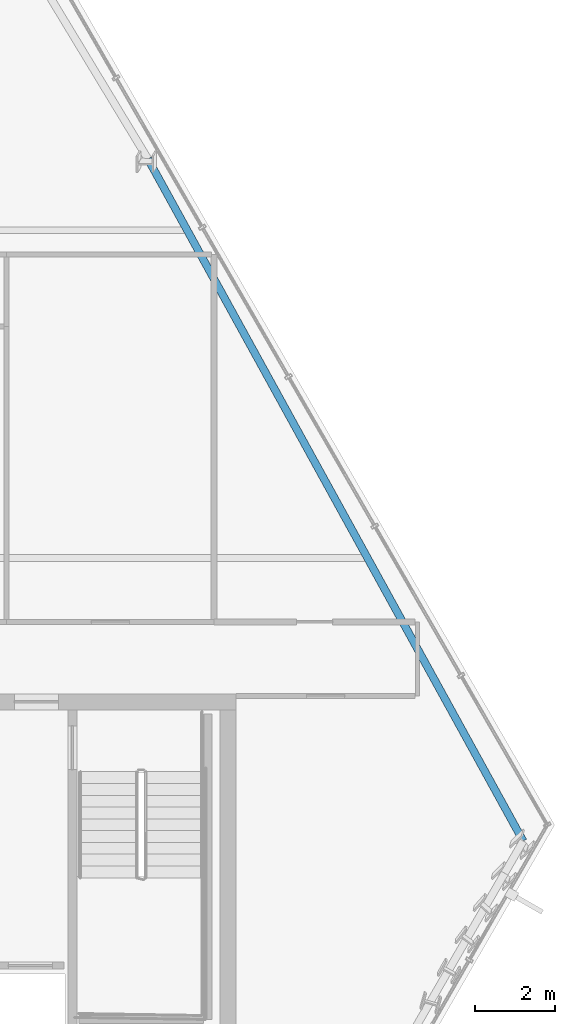
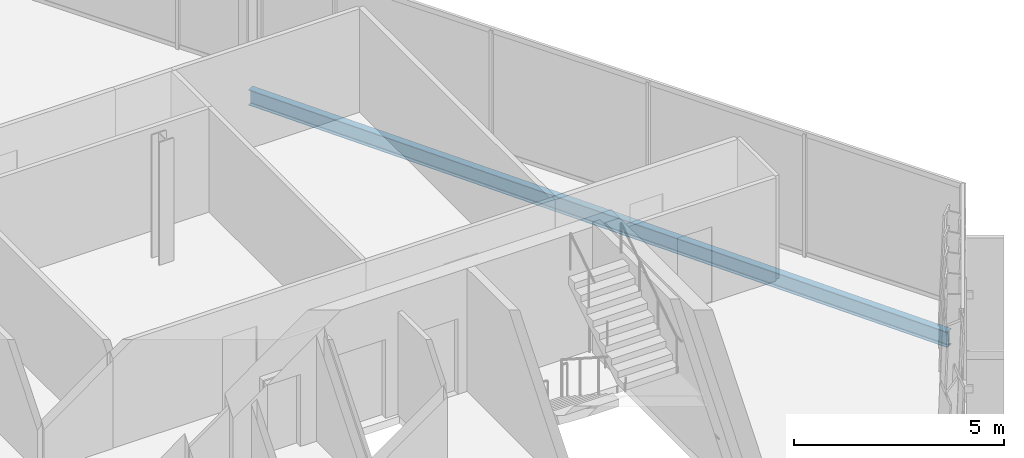
# One storey, part 16 of 30: 1 beam.
"""IFC4 building model written with IfcOpenShell, lengths in metres."""

from ifc_helpers import new_model, si_unit, direction, frame, origin, origin_2d, place, context, subcontext, project, spatial, i_section, extrude, material, material_profile, profile_set, type_object, element, save


model = new_model("IFC4")

# Units and contexts
model_context = context("Model", 3, precision=1e-05, world=origin(), true_north=direction((0.0, 1.0)))
body_context = subcontext(model_context, "Body", "Model", "MODEL_VIEW")
ifc_project = project(units=[si_unit("LENGTHUNIT", "METRE"), si_unit("AREAUNIT", "SQUARE_METRE"), si_unit("VOLUMEUNIT", "CUBIC_METRE"), si_unit("PLANEANGLEUNIT", "RADIAN"), si_unit("MASSUNIT", "GRAM", prefix="KILO")], contexts=[model_context])

# Site, building, storey
site_placement = place(None, origin())
site = spatial("IfcSite", under=ifc_project, at=site_placement, CompositionType="ELEMENT")
building_placement = place(site_placement, origin())
building = spatial("IfcBuilding", under=site, at=building_placement, Name="Ndaravel Arena Tower", CompositionType="ELEMENT")
storey_placement = place(building_placement, frame((0.0, 0.0, 225.60009765625)))
storey = spatial("IfcBuildingStorey", under=building, at=storey_placement, Name="L54", CompositionType="ELEMENT", Elevation=225.60009765625)

# Beam
ifc_material = material(Name="Steel S355", Category="steel")
ifc_material_profile = material_profile(ifc_material, i_section(OverallWidth=0.18994140625, OverallDepth=0.449951171875, WebThickness=0.009521484375, FlangeThickness=0.0146484375, FilletRadius=0.02099609375, at=origin_2d()), Name="IPE 450")
ifc_profile_set = profile_set([ifc_material_profile], Name="Steel S355")
beam_type = type_object("IfcBeamType", Name="BM-SPAN-IPE450", PredefinedType="SPANDREL", material=ifc_profile_set)
beam_placement = place(storey_placement, frame((64.7333984375, 11.515869140625, -0.445068359375), z_axis=(-0.482016386815, 0.876162201217, 0.0), x_axis=(-0.876162201217, -0.482016386815, 0.0)))
element("IfcBeam", 1, at=beam_placement, inside=storey, type_object=beam_type, Name="L54 Perimeter Spandrel Beam SP-09", PredefinedType="SPANDREL", context=body_context, shape_type="SweptSolid", body=[
    extrude(i_section(OverallWidth=0.18994140625, OverallDepth=0.449951171875, WebThickness=0.009521484375, FlangeThickness=0.0146484375, FilletRadius=0.02099609375, at=origin_2d()), origin(), (0.0, 0.0, 1.0), 19.485107421875),
])

save(model, "model.ifc")
